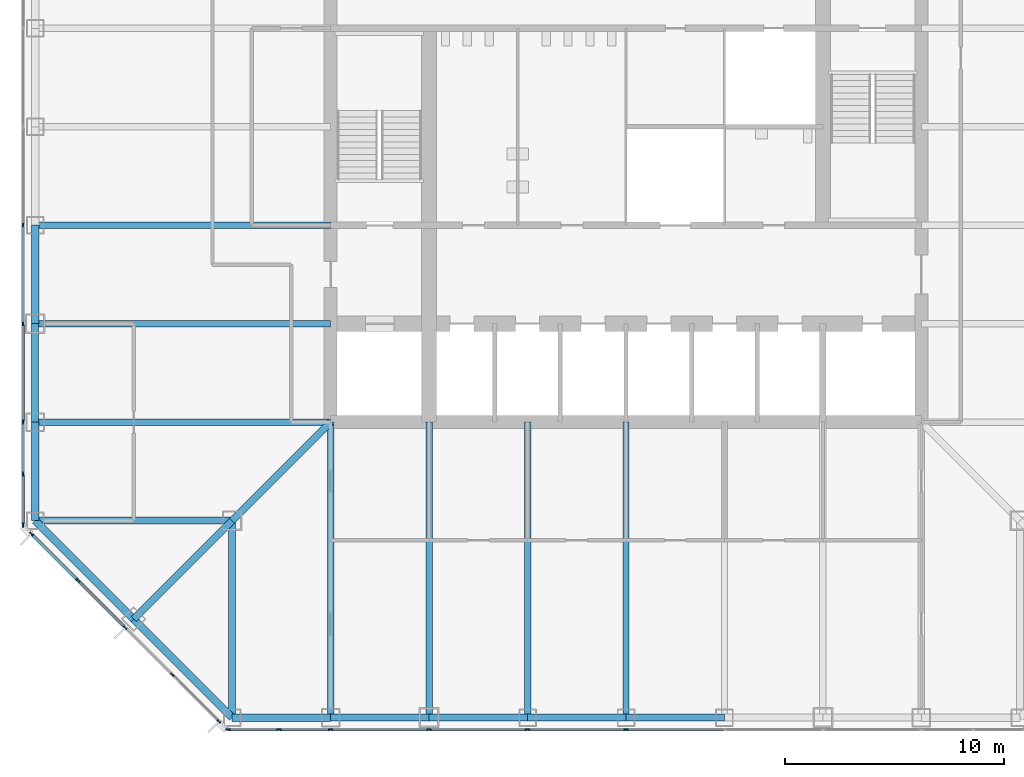
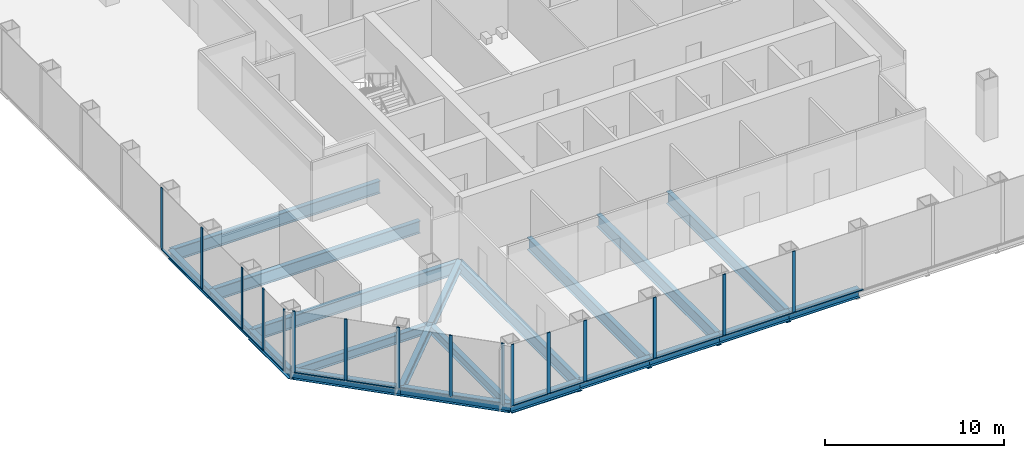
# One storey, part 2 of 12: 28 members, 21 beams, 3 elements without a shape of their own.
"""IFC4 building model written with IfcOpenShell, lengths in metres."""

from ifc_helpers import new_model, si_unit, direction, frame, origin, origin_2d, place, context, subcontext, project, spatial, rectangle, i_section, extrude, material, material_profile, profile_set, type_object, element, aggregate, save


model = new_model("IFC4")

# Units and contexts
model_context = context("Model", 3, precision=1e-05, world=origin(), true_north=direction((0.0, 1.0)))
body_context = subcontext(model_context, "Body", "Model", "MODEL_VIEW")
ifc_project = project(units=[si_unit("LENGTHUNIT", "METRE"), si_unit("AREAUNIT", "SQUARE_METRE"), si_unit("VOLUMEUNIT", "CUBIC_METRE"), si_unit("PLANEANGLEUNIT", "RADIAN"), si_unit("MASSUNIT", "GRAM", prefix="KILO")], contexts=[model_context])

# Site, building, storey
site_placement = place(None, origin())
site = spatial("IfcSite", under=ifc_project, at=site_placement, CompositionType="ELEMENT")
building_placement = place(site_placement, origin())
building = spatial("IfcBuilding", under=site, at=building_placement, Name="Corais Broadcast Tower", CompositionType="ELEMENT")
storey_placement = place(building_placement, frame((0.0, 0.0, 58.39990234375)))
storey = spatial("IfcBuildingStorey", under=building, at=storey_placement, Name="L12", CompositionType="ELEMENT", Elevation=58.39990234375)

# Beams
ifc_material_1 = material(Name="Steel ASTM A572 Grade 50", Category="steel")
ifc_material_profile_1 = material_profile(ifc_material_1, i_section(OverallWidth=0.323974609375, OverallDepth=0.611083984375, WebThickness=0.0126953125, FlangeThickness=0.01904296875, at=origin_2d()), Name="W610x155")
ifc_profile_set_1 = profile_set([ifc_material_profile_1], Name="Steel ASTM A572 Grade 50")
beam_type_1 = type_object("IfcBeamType", Name="Chamfer tie W610x155", PredefinedType="BEAM", material=ifc_profile_set_1)
beam_1_placement = place(storey_placement, frame((4.5, 4.5, -0.46533203125), z_axis=(0.707106781187, 0.707106781187, 0.0), x_axis=(-0.707106781187, 0.707106781187, 0.0)))
element("IfcBeam", 1, at=beam_1_placement, inside=storey, type_object=beam_type_1, Name="B5 B/4 to C/5", PredefinedType="BEAM", context=body_context, shape_type="SweptSolid", body=[
    extrude(i_section(OverallWidth=0.323974609375, OverallDepth=0.611083984375, WebThickness=0.0126953125, FlangeThickness=0.01904296875, at=origin_2d()), origin(), (0.0, 0.0, 1.0), 6.364013671875),
])
ifc_material_2 = material(Name="Steel ASTM A572 Grade 50", Category="steel")
ifc_material_profile_2 = material_profile(ifc_material_2, i_section(OverallWidth=0.323974609375, OverallDepth=0.611083984375, WebThickness=0.0126953125, FlangeThickness=0.01904296875, at=origin_2d()), Name="W610x155")
ifc_profile_set_2 = profile_set([ifc_material_profile_2], Name="Steel ASTM A572 Grade 50")
beam_type_2 = type_object("IfcBeamType", Name="Corner diagonal W610x155", PredefinedType="BEAM", material=ifc_profile_set_2)
beam_2_placement = place(storey_placement, frame((9.0, 9.0, -0.46533203125), z_axis=(0.707106781187, 0.707106781187, 0.0), x_axis=(-0.707106781187, 0.707106781187, 0.0)))
element("IfcBeam", 2, at=beam_2_placement, inside=storey, type_object=beam_type_2, Name="B6 C/5 to D/6", PredefinedType="BEAM", context=body_context, shape_type="SweptSolid", body=[
    extrude(i_section(OverallWidth=0.323974609375, OverallDepth=0.611083984375, WebThickness=0.0126953125, FlangeThickness=0.01904296875, at=origin_2d()), origin(), (0.0, 0.0, 1.0), 6.364013671875),
])
ifc_material_3 = material(Name="Steel ASTM A572 Grade 50", Category="steel")
ifc_material_profile_3 = material_profile(ifc_material_3, i_section(OverallWidth=0.323974609375, OverallDepth=0.611083984375, WebThickness=0.0126953125, FlangeThickness=0.01904296875, at=origin_2d()), Name="W610x155")
ifc_profile_set_3 = profile_set([ifc_material_profile_3], Name="Steel ASTM A572 Grade 50")
beam_type_3 = type_object("IfcBeamType", Name="Corner girder W610x155", PredefinedType="BEAM", material=ifc_profile_set_3)
for number, where, z_axis, x_axis, name in (
    (3, (0.0, 9.0, -0.46533203125), (1.0, 0.0, 0.0), (0.0, 1.0, 0.0), "B4 C/3 to C/5"),
    (4, (9.0, 0.0, -0.46533203125), (0.0, 1.0, 0.0), (-1.0, 0.0, 0.0), "B4 A/5 to C/5"),
):
    element("IfcBeam", number, at=place(storey_placement, frame(where, z_axis=z_axis, x_axis=x_axis)), inside=storey, type_object=beam_type_3, Name=name, PredefinedType="BEAM", context=body_context, shape_type="SweptSolid", body=[
        extrude(i_section(OverallWidth=0.323974609375, OverallDepth=0.611083984375, WebThickness=0.0126953125, FlangeThickness=0.01904296875, at=origin_2d()), origin(), (0.0, 0.0, 1.0), 9.0),
    ])
ifc_material_4 = material(Name="Steel ASTM A572 Grade 50", Category="steel")
ifc_material_profile_4 = material_profile(ifc_material_4, i_section(OverallWidth=0.337890625, OverallDepth=0.677978515625, WebThickness=0.029541015625, FlangeThickness=0.052978515625, at=origin_2d()), Name="W610x415")
ifc_profile_set_4 = profile_set([ifc_material_profile_4], Name="Steel ASTM A572 Grade 50")
beam_type_4 = type_object("IfcBeamType", Name="Corner spandrel W610x415", PredefinedType="BEAM", material=ifc_profile_set_4)
for number, where, z_axis, x_axis, name in (
    (5, (0.0, 13.5, -0.4990234375), (0.0, -1.0, 0.0), (1.0, 0.0, 0.0), "SB10 D/3 to C/3"),
    (6, (9.0, 0.0, -0.4990234375), (1.0, 0.0, 0.0), (0.0, 1.0, 0.0), "SB10 A/5 to A/6"),
):
    element("IfcBeam", number, at=place(storey_placement, frame(where, z_axis=z_axis, x_axis=x_axis)), inside=storey, type_object=beam_type_4, Name=name, PredefinedType="BEAM", context=body_context, shape_type="SweptSolid", body=[
        extrude(i_section(OverallWidth=0.337890625, OverallDepth=0.677978515625, WebThickness=0.029541015625, FlangeThickness=0.052978515625, at=origin_2d()), origin(), (0.0, 0.0, 1.0), 4.5),
    ])
ifc_material_5 = material(Name="Steel ASTM A572 Grade 50", Category="steel")
ifc_material_profile_5 = material_profile(ifc_material_5, i_section(OverallWidth=0.2939453125, OverallDepth=0.85107421875, WebThickness=0.01611328125, FlangeThickness=0.02685546875, at=origin_2d()), Name="W840x226")
ifc_profile_set_5 = profile_set([ifc_material_profile_5], Name="Steel ASTM A572 Grade 50")
beam_type_5 = type_object("IfcBeamType", Name="Floor beam W840x226", PredefinedType="BEAM", material=ifc_profile_set_5)
for number, where, z_axis, x_axis, name in (
    (7, (0.0, 13.5, -0.58544921875), (1.0, 0.0, 0.0), (0.0, 1.0, 0.0), "B1 D/3 to D/6"),
    (8, (0.0, 18.0, -0.58544921875), (1.0, 0.0, 0.0), (0.0, 1.0, 0.0), "B1 E/3 to E/6"),
    (9, (0.0, 22.5, -0.58544921875), (1.0, 0.0, 0.0), (0.0, 1.0, 0.0), "B1 F/3 to F/6"),
    (10, (13.5, 0.0, -0.58544921875), (0.0, 1.0, 0.0), (-1.0, 0.0, 0.0), "B1 A/6 to D/6"),
    (11, (18.0, 0.0, -0.58544921875), (0.0, 1.0, 0.0), (-1.0, 0.0, 0.0), "B1 A/7 to D/7"),
    (12, (22.5, 0.0, -0.58544921875), (0.0, 1.0, 0.0), (-1.0, 0.0, 0.0), "B1 A/8 to D/8"),
    (13, (27.0, 0.0, -0.58544921875), (0.0, 1.0, 0.0), (-1.0, 0.0, 0.0), "B1 A/9 to D/9"),
):
    element("IfcBeam", number, at=place(storey_placement, frame(where, z_axis=z_axis, x_axis=x_axis)), inside=storey, type_object=beam_type_5, Name=name, PredefinedType="BEAM", context=body_context, shape_type="SweptSolid", body=[
        extrude(i_section(OverallWidth=0.2939453125, OverallDepth=0.85107421875, WebThickness=0.01611328125, FlangeThickness=0.02685546875, at=origin_2d()), origin(), (0.0, 0.0, 1.0), 13.5),
    ])

# Curtain wall, members
ifc_material_6 = material(Name="Aluminium and glass", Category="aluminium")
curtain_wall_type = type_object("IfcCurtainWallType", Name="Unitised fritted curtain wall CW1", PredefinedType="NOTDEFINED", material=ifc_material_6)
curtain_wall_1_placement = place(storey_placement, origin())
curtain_wall_1 = element("IfcCurtainWall", 14, at=curtain_wall_1_placement, inside=storey, type_object=curtain_wall_type, Name="CW1 curtain wall L12 1", PredefinedType="NOTDEFINED")
ifc_material_7 = material(Name="Aluminium 6063-T6", Category="aluminium")
ifc_material_profile_6 = material_profile(ifc_material_7, rectangle(XDim=0.06494140625, YDim=0.199951171875, at=origin_2d()), Name="Mullion CW1 65x200")
ifc_profile_set_6 = profile_set([ifc_material_profile_6], Name="Aluminium 6063-T6")
member_type_1 = type_object("IfcMemberType", Name="Mullion CW1 65x200", PredefinedType="MULLION", material=ifc_profile_set_6)
member_1_placement = place(storey_placement, frame((8.3955078125, -0.17333984375, 0.0), z_axis=(0.0, 0.0, 1.0), x_axis=(-0.707106781187, -0.707106781187, 0.0)))
member_1 = element("IfcMember", 15, at=member_1_placement, type_object=member_type_1, Name="CW1 mullion 1", PredefinedType="MULLION", context=body_context, shape_type="SweptSolid", body=[
    extrude(rectangle(XDim=0.06494140625, YDim=0.199951171875, at=origin_2d()), origin(), (0.0, 0.0, 1.0), 4.2001953125),
])
member_2_placement = place(storey_placement, frame((6.264892578125, 1.957275390625, 0.0), z_axis=(0.0, 0.0, 1.0), x_axis=(-0.707106781187, -0.707106781187, 0.0)))
member_2 = element("IfcMember", 16, at=member_2_placement, type_object=member_type_1, Name="CW1 mullion 2", PredefinedType="MULLION", context=body_context, shape_type="SweptSolid", body=[
    extrude(rectangle(XDim=0.06494140625, YDim=0.199951171875, at=origin_2d()), origin(), (0.0, 0.0, 1.0), 4.2001953125),
])
member_3_placement = place(storey_placement, frame((4.111083984375, 4.111083984375, 0.0), z_axis=(0.0, 0.0, 1.0), x_axis=(-0.707106781187, -0.707106781187, 0.0)))
member_3 = element("IfcMember", 17, at=member_3_placement, type_object=member_type_1, Name="CW1 mullion 3", PredefinedType="MULLION", context=body_context, shape_type="SweptSolid", body=[
    extrude(rectangle(XDim=0.06494140625, YDim=0.199951171875, at=origin_2d()), origin(), (0.0, 0.0, 1.0), 4.2001953125),
])
member_4_placement = place(storey_placement, frame((1.957275390625, 6.264892578125, 0.0), z_axis=(0.0, 0.0, 1.0), x_axis=(-0.707106781187, -0.707106781187, 0.0)))
member_4 = element("IfcMember", 18, at=member_4_placement, type_object=member_type_1, Name="CW1 mullion 4", PredefinedType="MULLION", context=body_context, shape_type="SweptSolid", body=[
    extrude(rectangle(XDim=0.06494140625, YDim=0.199951171875, at=origin_2d()), origin(), (0.0, 0.0, 1.0), 4.2001953125),
])
member_5_placement = place(storey_placement, frame((-0.17333984375, 8.3955078125, 0.0), z_axis=(0.0, 0.0, 1.0), x_axis=(-0.707106781187, -0.707106781187, 0.0)))
member_5 = element("IfcMember", 19, at=member_5_placement, type_object=member_type_1, Name="CW1 mullion 5", PredefinedType="MULLION", context=body_context, shape_type="SweptSolid", body=[
    extrude(rectangle(XDim=0.06494140625, YDim=0.199951171875, at=origin_2d()), origin(), (0.0, 0.0, 1.0), 4.2001953125),
])

curtain_wall_2_placement = place(storey_placement, origin())
curtain_wall_2 = element("IfcCurtainWall", 20, at=curtain_wall_2_placement, inside=storey, type_object=curtain_wall_type, Name="CW1 curtain wall L12 2", PredefinedType="NOTDEFINED")
member_6_placement = place(storey_placement, frame((-0.550048828125, 8.8046875, 0.0), z_axis=(0.0, 0.0, 1.0), x_axis=(-1.0, 0.0, 0.0)))
member_6 = element("IfcMember", 21, at=member_6_placement, type_object=member_type_1, Name="CW1 mullion 1", PredefinedType="MULLION", context=body_context, shape_type="SweptSolid", body=[
    extrude(rectangle(XDim=0.06494140625, YDim=0.199951171875, at=origin_2d()), origin(), (0.0, 0.0, 1.0), 4.2001953125),
])
member_7_placement = place(storey_placement, frame((-0.550048828125, 11.135986328125, 0.0), z_axis=(0.0, 0.0, 1.0), x_axis=(-1.0, 0.0, 0.0)))
member_7 = element("IfcMember", 22, at=member_7_placement, type_object=member_type_1, Name="CW1 mullion 2", PredefinedType="MULLION", context=body_context, shape_type="SweptSolid", body=[
    extrude(rectangle(XDim=0.06494140625, YDim=0.199951171875, at=origin_2d()), origin(), (0.0, 0.0, 1.0), 4.2001953125),
])
member_8_placement = place(storey_placement, frame((-0.550048828125, 13.5, 0.0), z_axis=(0.0, 0.0, 1.0), x_axis=(-1.0, 0.0, 0.0)))
member_8 = element("IfcMember", 23, at=member_8_placement, type_object=member_type_1, Name="CW1 mullion 3", PredefinedType="MULLION", context=body_context, shape_type="SweptSolid", body=[
    extrude(rectangle(XDim=0.06494140625, YDim=0.199951171875, at=origin_2d()), origin(), (0.0, 0.0, 1.0), 4.2001953125),
])
member_9_placement = place(storey_placement, frame((-0.550048828125, 18.0, 0.0), z_axis=(0.0, 0.0, 1.0), x_axis=(-1.0, 0.0, 0.0)))
member_9 = element("IfcMember", 24, at=member_9_placement, type_object=member_type_1, Name="CW1 mullion 4", PredefinedType="MULLION", context=body_context, shape_type="SweptSolid", body=[
    extrude(rectangle(XDim=0.06494140625, YDim=0.199951171875, at=origin_2d()), origin(), (0.0, 0.0, 1.0), 4.2001953125),
])
member_10_placement = place(storey_placement, frame((-0.550048828125, 22.5, 0.0), z_axis=(0.0, 0.0, 1.0), x_axis=(-1.0, 0.0, 0.0)))
member_10 = element("IfcMember", 25, at=member_10_placement, type_object=member_type_1, Name="CW1 mullion 5", PredefinedType="MULLION", context=body_context, shape_type="SweptSolid", body=[
    extrude(rectangle(XDim=0.06494140625, YDim=0.199951171875, at=origin_2d()), origin(), (0.0, 0.0, 1.0), 4.2001953125),
])

curtain_wall_3_placement = place(storey_placement, origin())
curtain_wall_3 = element("IfcCurtainWall", 26, at=curtain_wall_3_placement, inside=storey, type_object=curtain_wall_type, Name="CW1 curtain wall L12 8", PredefinedType="NOTDEFINED")
member_11_placement = place(storey_placement, frame((27.0, -0.550048828125, 0.0), z_axis=(0.0, 0.0, 1.0), x_axis=(0.0, -1.0, 0.0)))
member_11 = element("IfcMember", 27, at=member_11_placement, type_object=member_type_1, Name="CW1 mullion 6", PredefinedType="MULLION", context=body_context, shape_type="SweptSolid", body=[
    extrude(rectangle(XDim=0.06494140625, YDim=0.199951171875, at=origin_2d()), origin(), (0.0, 0.0, 1.0), 4.2001953125),
])
member_12_placement = place(storey_placement, frame((22.5, -0.550048828125, 0.0), z_axis=(0.0, 0.0, 1.0), x_axis=(0.0, -1.0, 0.0)))
member_12 = element("IfcMember", 28, at=member_12_placement, type_object=member_type_1, Name="CW1 mullion 7", PredefinedType="MULLION", context=body_context, shape_type="SweptSolid", body=[
    extrude(rectangle(XDim=0.06494140625, YDim=0.199951171875, at=origin_2d()), origin(), (0.0, 0.0, 1.0), 4.2001953125),
])
member_13_placement = place(storey_placement, frame((18.0, -0.550048828125, 0.0), z_axis=(0.0, 0.0, 1.0), x_axis=(0.0, -1.0, 0.0)))
member_13 = element("IfcMember", 29, at=member_13_placement, type_object=member_type_1, Name="CW1 mullion 8", PredefinedType="MULLION", context=body_context, shape_type="SweptSolid", body=[
    extrude(rectangle(XDim=0.06494140625, YDim=0.199951171875, at=origin_2d()), origin(), (0.0, 0.0, 1.0), 4.2001953125),
])
member_14_placement = place(storey_placement, frame((13.5, -0.550048828125, 0.0), z_axis=(0.0, 0.0, 1.0), x_axis=(0.0, -1.0, 0.0)))
member_14 = element("IfcMember", 30, at=member_14_placement, type_object=member_type_1, Name="CW1 mullion 9", PredefinedType="MULLION", context=body_context, shape_type="SweptSolid", body=[
    extrude(rectangle(XDim=0.06494140625, YDim=0.199951171875, at=origin_2d()), origin(), (0.0, 0.0, 1.0), 4.2001953125),
])
member_15_placement = place(storey_placement, frame((11.135986328125, -0.550048828125, 0.0), z_axis=(0.0, 0.0, 1.0), x_axis=(0.0, -1.0, 0.0)))
member_15 = element("IfcMember", 31, at=member_15_placement, type_object=member_type_1, Name="CW1 mullion 10", PredefinedType="MULLION", context=body_context, shape_type="SweptSolid", body=[
    extrude(rectangle(XDim=0.06494140625, YDim=0.199951171875, at=origin_2d()), origin(), (0.0, 0.0, 1.0), 4.2001953125),
])
member_16_placement = place(storey_placement, frame((8.8046875, -0.550048828125, 0.0), z_axis=(0.0, 0.0, 1.0), x_axis=(0.0, -1.0, 0.0)))
member_16 = element("IfcMember", 32, at=member_16_placement, type_object=member_type_1, Name="CW1 mullion 11", PredefinedType="MULLION", context=body_context, shape_type="SweptSolid", body=[
    extrude(rectangle(XDim=0.06494140625, YDim=0.199951171875, at=origin_2d()), origin(), (0.0, 0.0, 1.0), 4.2001953125),
])

# Beams
ifc_material_8 = material(Name="Steel ASTM A572 Grade 50", Category="steel")
ifc_material_profile_7 = material_profile(ifc_material_8, i_section(OverallWidth=0.323974609375, OverallDepth=0.611083984375, WebThickness=0.0126953125, FlangeThickness=0.01904296875, at=origin_2d()), Name="W610x155")
ifc_profile_set_7 = profile_set([ifc_material_profile_7], Name="Steel ASTM A572 Grade 50")
beam_type_6 = type_object("IfcBeamType", Name="Pinned spandrel W610x155", PredefinedType="BEAM", material=ifc_profile_set_7)
for number, where, z_axis, x_axis, name in (
    (33, (0.0, 18.0, -0.46533203125), (0.0, -1.0, 0.0), (1.0, 0.0, 0.0), "SB6 E/3 to D/3"),
    (34, (13.5, 0.0, -0.46533203125), (1.0, 0.0, 0.0), (0.0, 1.0, 0.0), "SB6 A/6 to A/7"),
):
    element("IfcBeam", number, at=place(storey_placement, frame(where, z_axis=z_axis, x_axis=x_axis)), inside=storey, type_object=beam_type_6, Name=name, PredefinedType="BEAM", context=body_context, shape_type="SweptSolid", body=[
        extrude(i_section(OverallWidth=0.323974609375, OverallDepth=0.611083984375, WebThickness=0.0126953125, FlangeThickness=0.01904296875, at=origin_2d()), origin(), (0.0, 0.0, 1.0), 4.5),
    ])
ifc_material_9 = material(Name="Steel ASTM A572 Grade 50", Category="steel")
ifc_material_profile_8 = material_profile(ifc_material_9, i_section(OverallWidth=0.3291015625, OverallDepth=0.635009765625, WebThickness=0.017822265625, FlangeThickness=0.031005859375, at=origin_2d()), Name="W610x241")
ifc_profile_set_8 = profile_set([ifc_material_profile_8], Name="Steel ASTM A572 Grade 50")
beam_type_7 = type_object("IfcBeamType", Name="Spandrel W610x241", PredefinedType="BEAM", material=ifc_profile_set_8)
beam_3_placement = place(storey_placement, frame((0.0, 22.5, -0.477294921875), z_axis=(0.0, -1.0, 0.0), x_axis=(1.0, 0.0, 0.0)))
element("IfcBeam", 35, at=beam_3_placement, inside=storey, type_object=beam_type_7, Name="SB1 F/3 to E/3", PredefinedType="BEAM", context=body_context, shape_type="SweptSolid", body=[
    extrude(i_section(OverallWidth=0.3291015625, OverallDepth=0.635009765625, WebThickness=0.017822265625, FlangeThickness=0.031005859375, at=origin_2d()), origin(), (0.0, 0.0, 1.0), 4.5),
])
beam_4_placement = place(storey_placement, frame((0.0, 9.0, -0.477294921875), z_axis=(0.707106781187, -0.707106781187, 0.0), x_axis=(0.707106781187, 0.707106781187, 0.0)))
element("IfcBeam", 36, at=beam_4_placement, inside=storey, type_object=beam_type_7, Name="SB1 C/3 to B/4", PredefinedType="BEAM", context=body_context, shape_type="SweptSolid", body=[
    extrude(i_section(OverallWidth=0.3291015625, OverallDepth=0.635009765625, WebThickness=0.017822265625, FlangeThickness=0.031005859375, at=origin_2d()), origin(), (0.0, 0.0, 1.0), 6.364013671875),
])
for number, where, z_axis, x_axis, name in (
    (37, (18.0, 0.0, -0.477294921875), (1.0, 0.0, 0.0), (0.0, 1.0, 0.0), "SB1 A/7 to A/8"),
    (38, (22.5, 0.0, -0.477294921875), (1.0, 0.0, 0.0), (0.0, 1.0, 0.0), "SB1 A/8 to A/9"),
    (39, (27.0, 0.0, -0.477294921875), (1.0, 0.0, 0.0), (0.0, 1.0, 0.0), "SB1 A/9 to A/10"),
):
    element("IfcBeam", number, at=place(storey_placement, frame(where, z_axis=z_axis, x_axis=x_axis)), inside=storey, type_object=beam_type_7, Name=name, PredefinedType="BEAM", context=body_context, shape_type="SweptSolid", body=[
        extrude(i_section(OverallWidth=0.3291015625, OverallDepth=0.635009765625, WebThickness=0.017822265625, FlangeThickness=0.031005859375, at=origin_2d()), origin(), (0.0, 0.0, 1.0), 4.5),
    ])
beam_5_placement = place(storey_placement, frame((4.5, 4.5, -0.477294921875), z_axis=(0.707106781187, -0.707106781187, 0.0), x_axis=(0.707106781187, 0.707106781187, 0.0)))
element("IfcBeam", 40, at=beam_5_placement, inside=storey, type_object=beam_type_7, Name="SB1 B/4 to A/5", PredefinedType="BEAM", context=body_context, shape_type="SweptSolid", body=[
    extrude(i_section(OverallWidth=0.3291015625, OverallDepth=0.635009765625, WebThickness=0.017822265625, FlangeThickness=0.031005859375, at=origin_2d()), origin(), (0.0, 0.0, 1.0), 6.364013671875),
])

# Member
ifc_material_10 = material(Name="Aluminium 6063-T6", Category="aluminium")
ifc_material_profile_9 = material_profile(ifc_material_10, rectangle(XDim=0.139892578125, YDim=0.06494140625, at=origin_2d()), Name="Transom CW1 65x140")
ifc_profile_set_9 = profile_set([ifc_material_profile_9], Name="Aluminium 6063-T6")
member_type_2 = type_object("IfcMemberType", Name="Transom CW1 65x140", PredefinedType="USERDEFINED", material=ifc_profile_set_9)
member_17_placement = place(storey_placement, frame((4.088134765625, 4.134033203125, 0.03271484375), z_axis=(-0.707106781187, 0.707106781187, 0.0), x_axis=(-0.707106781187, -0.707106781187, 0.0)))
member_17 = element("IfcMember", 41, at=member_17_placement, type_object=member_type_2, Name="CW1 transom 3.1", ObjectType="TRANSOM", PredefinedType="USERDEFINED", context=body_context, shape_type="SweptSolid", body=[
    extrude(rectangle(XDim=0.139892578125, YDim=0.06494140625, at=origin_2d()), origin(), (0.0, 0.0, 1.0), 2.98095703125),
])

member_18_placement = place(storey_placement, frame((1.934326171875, 6.287841796875, 0.03271484375), z_axis=(-0.707106781187, 0.707106781187, 0.0), x_axis=(-0.707106781187, -0.707106781187, 0.0)))
member_18 = element("IfcMember", 42, at=member_18_placement, type_object=member_type_2, Name="CW1 transom 4.1", ObjectType="TRANSOM", PredefinedType="USERDEFINED", context=body_context, shape_type="SweptSolid", body=[
    extrude(rectangle(XDim=0.139892578125, YDim=0.06494140625, at=origin_2d()), origin(), (0.0, 0.0, 1.0), 2.9482421875),
])

aggregate(curtain_wall_1, [member_1, member_2, member_3, member_4, member_5, member_17, member_18])

member_19_placement = place(storey_placement, frame((-0.550048828125, 8.837158203125, 0.03271484375), z_axis=(0.0, 1.0, 0.0), x_axis=(-1.0, 0.0, 0.0)))
member_19 = element("IfcMember", 43, at=member_19_placement, type_object=member_type_2, Name="CW1 transom 1.1", ObjectType="TRANSOM", PredefinedType="USERDEFINED", context=body_context, shape_type="SweptSolid", body=[
    extrude(rectangle(XDim=0.139892578125, YDim=0.06494140625, at=origin_2d()), origin(), (0.0, 0.0, 1.0), 2.266357421875),
])

member_20_placement = place(storey_placement, frame((-0.550048828125, 11.168701171875, 0.03271484375), z_axis=(0.0, 1.0, 0.0), x_axis=(-1.0, 0.0, 0.0)))
member_20 = element("IfcMember", 44, at=member_20_placement, type_object=member_type_2, Name="CW1 transom 2.1", ObjectType="TRANSOM", PredefinedType="USERDEFINED", context=body_context, shape_type="SweptSolid", body=[
    extrude(rectangle(XDim=0.139892578125, YDim=0.06494140625, at=origin_2d()), origin(), (0.0, 0.0, 1.0), 2.298828125),
])

member_21_placement = place(storey_placement, frame((-0.550048828125, 13.532470703125, 0.03271484375), z_axis=(0.0, 1.0, 0.0), x_axis=(-1.0, 0.0, 0.0)))
member_21 = element("IfcMember", 45, at=member_21_placement, type_object=member_type_2, Name="CW1 transom 3.1", ObjectType="TRANSOM", PredefinedType="USERDEFINED", context=body_context, shape_type="SweptSolid", body=[
    extrude(rectangle(XDim=0.139892578125, YDim=0.06494140625, at=origin_2d()), origin(), (0.0, 0.0, 1.0), 4.43505859375),
])

member_22_placement = place(storey_placement, frame((-0.550048828125, 18.032470703125, 0.03271484375), z_axis=(0.0, 1.0, 0.0), x_axis=(-1.0, 0.0, 0.0)))
member_22 = element("IfcMember", 46, at=member_22_placement, type_object=member_type_2, Name="CW1 transom 4.1", ObjectType="TRANSOM", PredefinedType="USERDEFINED", context=body_context, shape_type="SweptSolid", body=[
    extrude(rectangle(XDim=0.139892578125, YDim=0.06494140625, at=origin_2d()), origin(), (0.0, 0.0, 1.0), 4.43505859375),
])

aggregate(curtain_wall_2, [member_6, member_7, member_8, member_9, member_10, member_19, member_20, member_21, member_22])

member_23_placement = place(storey_placement, frame((31.467529296875, -0.550048828125, 0.03271484375), z_axis=(-1.0, 0.0, 0.0), x_axis=(0.0, -1.0, 0.0)))
member_23 = element("IfcMember", 47, at=member_23_placement, type_object=member_type_2, Name="CW1 transom 5.1", ObjectType="TRANSOM", PredefinedType="USERDEFINED", context=body_context, shape_type="SweptSolid", body=[
    extrude(rectangle(XDim=0.139892578125, YDim=0.06494140625, at=origin_2d()), origin(), (0.0, 0.0, 1.0), 4.43505859375),
])

member_24_placement = place(storey_placement, frame((26.967529296875, -0.550048828125, 0.03271484375), z_axis=(-1.0, 0.0, 0.0), x_axis=(0.0, -1.0, 0.0)))
member_24 = element("IfcMember", 48, at=member_24_placement, type_object=member_type_2, Name="CW1 transom 6.1", ObjectType="TRANSOM", PredefinedType="USERDEFINED", context=body_context, shape_type="SweptSolid", body=[
    extrude(rectangle(XDim=0.139892578125, YDim=0.06494140625, at=origin_2d()), origin(), (0.0, 0.0, 1.0), 4.43505859375),
])

member_25_placement = place(storey_placement, frame((22.467529296875, -0.550048828125, 0.03271484375), z_axis=(-1.0, 0.0, 0.0), x_axis=(0.0, -1.0, 0.0)))
member_25 = element("IfcMember", 49, at=member_25_placement, type_object=member_type_2, Name="CW1 transom 7.1", ObjectType="TRANSOM", PredefinedType="USERDEFINED", context=body_context, shape_type="SweptSolid", body=[
    extrude(rectangle(XDim=0.139892578125, YDim=0.06494140625, at=origin_2d()), origin(), (0.0, 0.0, 1.0), 4.43505859375),
])

member_26_placement = place(storey_placement, frame((17.967529296875, -0.550048828125, 0.03271484375), z_axis=(-1.0, 0.0, 0.0), x_axis=(0.0, -1.0, 0.0)))
member_26 = element("IfcMember", 50, at=member_26_placement, type_object=member_type_2, Name="CW1 transom 8.1", ObjectType="TRANSOM", PredefinedType="USERDEFINED", context=body_context, shape_type="SweptSolid", body=[
    extrude(rectangle(XDim=0.139892578125, YDim=0.06494140625, at=origin_2d()), origin(), (0.0, 0.0, 1.0), 4.43505859375),
])

member_27_placement = place(storey_placement, frame((13.467529296875, -0.550048828125, 0.03271484375), z_axis=(-1.0, 0.0, 0.0), x_axis=(0.0, -1.0, 0.0)))
member_27 = element("IfcMember", 51, at=member_27_placement, type_object=member_type_2, Name="CW1 transom 9.1", ObjectType="TRANSOM", PredefinedType="USERDEFINED", context=body_context, shape_type="SweptSolid", body=[
    extrude(rectangle(XDim=0.139892578125, YDim=0.06494140625, at=origin_2d()), origin(), (0.0, 0.0, 1.0), 2.298828125),
])

member_28_placement = place(storey_placement, frame((11.103515625, -0.550048828125, 0.03271484375), z_axis=(-1.0, 0.0, 0.0), x_axis=(0.0, -1.0, 0.0)))
member_28 = element("IfcMember", 52, at=member_28_placement, type_object=member_type_2, Name="CW1 transom 10.1", ObjectType="TRANSOM", PredefinedType="USERDEFINED", context=body_context, shape_type="SweptSolid", body=[
    extrude(rectangle(XDim=0.139892578125, YDim=0.06494140625, at=origin_2d()), origin(), (0.0, 0.0, 1.0), 2.266357421875),
])

aggregate(curtain_wall_3, [member_11, member_12, member_13, member_14, member_15, member_16, member_23, member_24, member_25, member_26, member_27, member_28])

save(model, "model.ifc")
